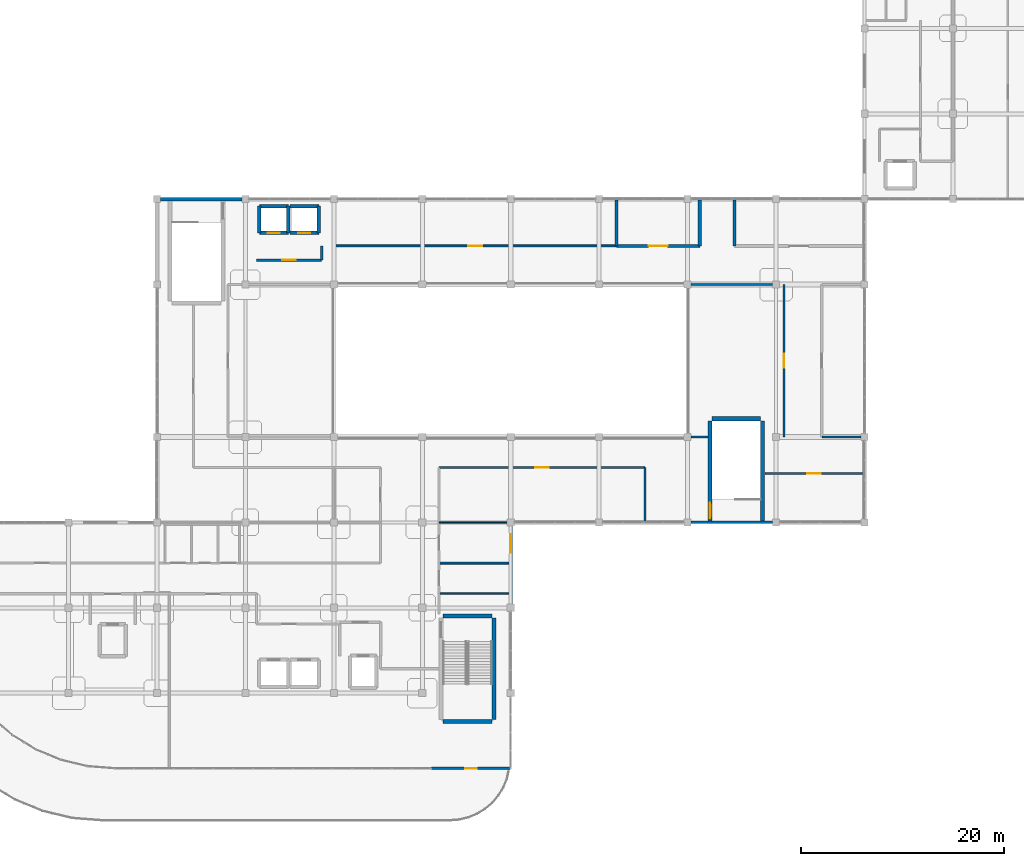
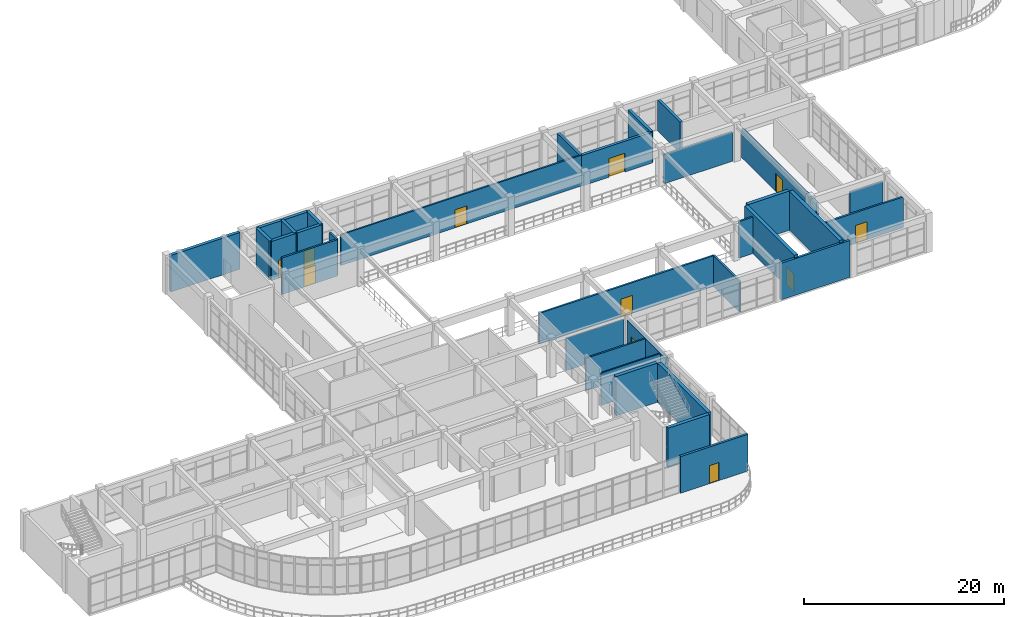
# One storey, part 56 of 64: 34 walls, 10 doors, 1 window, 11 openings.
"""IFC4 building model written with IfcOpenShell, lengths in metres."""

from ifc_helpers import new_model, si_unit, derived_unit, direction, frame, frame_2d, origin, place, context, subcontext, project, spatial, rectangle, extrude, material, layer, layer_set, type_object, element, fill, save


model = new_model("IFC4")

# Units and contexts
model_context = context("Model", 3, precision=1e-05, world=origin(), true_north=direction((0.0, 1.0)))
body_context = subcontext(model_context, "Body", "Model", "MODEL_VIEW")
ifc_project = project(units=[si_unit("LENGTHUNIT", "METRE"), si_unit("AREAUNIT", "SQUARE_METRE"), si_unit("VOLUMEUNIT", "CUBIC_METRE"), si_unit("PLANEANGLEUNIT", "RADIAN"), si_unit("MASSUNIT", "GRAM", prefix="KILO"), derived_unit("THERMALTRANSMITTANCEUNIT", [(si_unit("MASSUNIT", "GRAM", prefix="KILO"), 1), (si_unit("TIMEUNIT", "SECOND"), -3), (si_unit("THERMODYNAMICTEMPERATUREUNIT", "KELVIN"), -1)])], contexts=[model_context])

# Site, building, storey
site_placement = place(None, origin())
site = spatial("IfcSite", under=ifc_project, at=site_placement, CompositionType="ELEMENT")
building_placement = place(site_placement, origin())
building = spatial("IfcBuilding", under=site, at=building_placement, Name="Qinzheling Arcade Emporium", CompositionType="ELEMENT")
storey_placement = place(building_placement, frame((0.0, 0.0, 31.5)))
storey = spatial("IfcBuildingStorey", under=building, at=storey_placement, Name="L07", CompositionType="ELEMENT", Elevation=31.5)

# Wall
ifc_material_1 = material(Name="Double-stud acoustic gypsum board partition")
ifc_layer_1 = layer(ifc_material_1, 0.215087890625, Name="Double-stud acoustic gypsum board partition")
ifc_layer_set_1 = layer_set([ifc_layer_1], Name="Double-stud acoustic gypsum board partition")
wall_type_1 = type_object("IfcWallType", Name="Acoustic Corridor Partition Wall 215", PredefinedType="PARTITIONING", material=ifc_layer_set_1)
wall_1_placement = place(storey_placement, frame((51.0, 69.199951171875, 0.0), z_axis=(0.0, 0.0, 1.0), x_axis=(0.0, -1.0, 0.0)))
element("IfcWall", 1, at=wall_1_placement, inside=storey, type_object=wall_type_1, Name="Interior Wall WL-L07-INT-0889", PredefinedType="PARTITIONING", context=body_context, shape_type="SweptSolid", body=[
    extrude(rectangle(XDim=1.39990234375, YDim=0.215087890625, at=frame_2d((0.699951171875, 0.0))), origin(), (0.0, 0.0, 1.0), 4.4599609375),
])

# Wall, opening, door
wall_2_placement = place(storey_placement, frame((51.0, 67.800048828125, 0.0), z_axis=(0.0, 0.0, 1.0), x_axis=(-1.0, 0.0, 0.0)))
wall_2 = element("IfcWall", 2, at=wall_2_placement, inside=storey, type_object=wall_type_1, Name="Interior Wall WL-L07-INT-0890", PredefinedType="PARTITIONING", context=body_context, shape_type="SweptSolid", body=[
    extrude(rectangle(XDim=6.39990234375, YDim=0.215087890625, at=frame_2d((3.199951171875, 0.0))), origin(), (0.0, 0.0, 1.0), 4.4599609375),
])
opening_1_placement = place(wall_2_placement, frame((2.52490234375, 0.0, 0.0)))
opening_1 = element("IfcOpeningElement", 3, at=opening_1_placement, cuts=wall_2, Name="Opening FD05", PredefinedType="OPENING", context=body_context, shape_type="SweptSolid", body=[
    extrude(rectangle(XDim=1.35009765625, YDim=2.199951171875, at=frame_2d((0.675048828125, 1.10009765625))), frame((0.0, 0.11767578125, 0.0), z_axis=(0.0, -1.0, 0.0), x_axis=(1.0, 0.0, 0.0)), (0.0, 0.0, 1.0), 0.235107421875),
])
ifc_material_2 = material(Name="Class B fire-rated stainless-clad door")
door_type_1 = type_object("IfcDoorType", Name="Kitchen Fire-Rated Service Door 1350x2200", OperationType="NOTDEFINED", PredefinedType="DOOR", material=ifc_material_2)
door_1_placement = place(opening_1_placement, origin())
door_1 = element("IfcDoor", 4, at=door_1_placement, inside=storey, type_object=door_type_1, Name="FD05 Interior Door DR-L07-INT-0259", OperationType="SINGLE_SWING_RIGHT", OverallHeight=2.199951171875, OverallWidth=1.35009765625, PredefinedType="DOOR", context=body_context, shape_type="SweptSolid", body=[
    extrude(rectangle(XDim=1.35009765625, YDim=2.199951171875, at=frame_2d((0.675048828125, 1.10009765625))), frame((0.0, 0.02490234375, 0.0), z_axis=(0.0, -1.0, 0.0), x_axis=(1.0, 0.0, 0.0)), (0.0, 0.0, 1.0), 0.050048828125),
])
fill(opening_1, door_1)

wall_3_placement = place(storey_placement, frame((104.300048828125, 46.800048828125, 0.0), z_axis=(0.0, 0.0, 1.0), x_axis=(-1.0, 0.0, 0.0)))
wall_3 = element("IfcWall", 5, at=wall_3_placement, inside=storey, type_object=wall_type_1, Name="Interior Wall WL-L07-INT-0938", PredefinedType="PARTITIONING", context=body_context, shape_type="SweptSolid", body=[
    extrude(rectangle(XDim=9.705078125, YDim=0.215087890625, at=frame_2d((4.8525390625, 0.0))), origin(), (0.0, 0.0, 1.0), 3.760009765625),
])
opening_2_placement = place(wall_3_placement, frame((4.177001953125, 0.0, 0.0)))
opening_2 = element("IfcOpeningElement", 6, at=opening_2_placement, cuts=wall_3, Name="Opening FD05", PredefinedType="OPENING", context=body_context, shape_type="SweptSolid", body=[
    extrude(rectangle(XDim=1.35009765625, YDim=2.199951171875, at=frame_2d((0.675048828125, 1.10009765625))), frame((0.0, 0.11767578125, 0.0), z_axis=(0.0, -1.0, 0.0), x_axis=(1.0, 0.0, 0.0)), (0.0, 0.0, 1.0), 0.235107421875),
])
door_2_placement = place(opening_2_placement, origin())
door_2 = element("IfcDoor", 7, at=door_2_placement, inside=storey, type_object=door_type_1, Name="FD05 Interior Door DR-L07-INT-0272", OperationType="SINGLE_SWING_LEFT", OverallHeight=2.199951171875, OverallWidth=1.35009765625, PredefinedType="DOOR", context=body_context, shape_type="SweptSolid", body=[
    extrude(rectangle(XDim=1.35009765625, YDim=2.199951171875, at=frame_2d((0.675048828125, 1.10009765625))), frame((0.0, 0.02490234375, 0.0), z_axis=(0.0, -1.0, 0.0), x_axis=(1.0, 0.0, 0.0)), (0.0, 0.0, 1.0), 0.050048828125),
])
fill(opening_2, door_2)

# Wall
wall_4_placement = place(storey_placement, frame((82.800048828125, 42.10009765625, 0.0), z_axis=(0.0, 0.0, 1.0), x_axis=(0.0, 1.0, 0.0)))
element("IfcWall", 8, at=wall_4_placement, inside=storey, type_object=wall_type_1, Name="Interior Wall WL-L07-INT-0939", PredefinedType="PARTITIONING", context=body_context, shape_type="SweptSolid", body=[
    extrude(rectangle(XDim=5.2998046875, YDim=0.215087890625, at=frame_2d((2.64990234375, 0.0))), origin(), (0.0, 0.0, 1.0), 3.760009765625),
])

# Wall, opening, door
wall_5_placement = place(storey_placement, frame((82.800048828125, 47.39990234375, 0.0), z_axis=(0.0, 0.0, 1.0), x_axis=(-1.0, 0.0, 0.0)))
wall_5 = element("IfcWall", 9, at=wall_5_placement, inside=storey, type_object=wall_type_1, Name="Interior Wall WL-L07-INT-0940", PredefinedType="PARTITIONING", context=body_context, shape_type="SweptSolid", body=[
    extrude(rectangle(XDim=20.25, YDim=0.215087890625, at=frame_2d((10.125, 0.0))), origin(), (0.0, 0.0, 1.0), 3.760009765625),
])
opening_3_placement = place(wall_5_placement, frame((9.449951171875, 0.0, 0.0)))
opening_3 = element("IfcOpeningElement", 10, at=opening_3_placement, cuts=wall_5, Name="Opening FD05", PredefinedType="OPENING", context=body_context, shape_type="SweptSolid", body=[
    extrude(rectangle(XDim=1.35009765625, YDim=2.199951171875, at=frame_2d((0.675048828125, 1.10009765625))), frame((0.0, 0.11767578125, 0.0), z_axis=(0.0, -1.0, 0.0), x_axis=(1.0, 0.0, 0.0)), (0.0, 0.0, 1.0), 0.235107421875),
])
door_3_placement = place(opening_3_placement, origin())
door_3 = element("IfcDoor", 11, at=door_3_placement, inside=storey, type_object=door_type_1, Name="FD05 Interior Door DR-L07-INT-0273", OperationType="SINGLE_SWING_RIGHT", OverallHeight=2.199951171875, OverallWidth=1.35009765625, PredefinedType="DOOR", context=body_context, shape_type="SweptSolid", body=[
    extrude(rectangle(XDim=1.35009765625, YDim=2.199951171875, at=frame_2d((0.675048828125, 1.10009765625))), frame((0.0, 0.02490234375, 0.0), z_axis=(0.0, -1.0, 0.0), x_axis=(1.0, 0.0, 0.0)), (0.0, 0.0, 1.0), 0.050048828125),
])
fill(opening_3, door_3)

# Walls
wall_6_placement = place(storey_placement, frame((100.199951171875, 50.39990234375, 0.0), z_axis=(0.0, 0.0, 1.0), x_axis=(1.0, 0.0, 0.0)))
element("IfcWall", 12, at=wall_6_placement, inside=storey, type_object=wall_type_1, Name="Interior Wall WL-L07-INT-0951", PredefinedType="PARTITIONING", context=body_context, shape_type="SweptSolid", body=[
    extrude(rectangle(XDim=3.840087890625, YDim=0.215087890625, at=frame_2d((1.919921875, 0.0))), origin(), (0.0, 0.0, 1.0), 3.56005859375),
])
wall_7_placement = place(storey_placement, frame((87.360107421875, 50.39990234375, 0.0), z_axis=(0.0, 0.0, 1.0), x_axis=(1.0, 0.0, 0.0)))
element("IfcWall", 13, at=wall_7_placement, inside=storey, type_object=wall_type_1, Name="Interior Wall WL-L07-INT-0952", PredefinedType="PARTITIONING", context=body_context, shape_type="SweptSolid", body=[
    extrude(rectangle(XDim=1.635009765625, YDim=0.215087890625, at=frame_2d((0.8173828125, 0.0))), origin(), (0.0, 0.0, 1.0), 4.4599609375),
])

# Wall, opening, door
wall_8_placement = place(storey_placement, frame((96.5, 50.39990234375, 0.0), z_axis=(0.0, 0.0, 1.0), x_axis=(0.0, 1.0, 0.0)))
wall_8 = element("IfcWall", 14, at=wall_8_placement, inside=storey, type_object=wall_type_1, Name="Interior Wall WL-L07-INT-0953", PredefinedType="PARTITIONING", context=body_context, shape_type="SweptSolid", body=[
    extrude(rectangle(XDim=15.0, YDim=0.215087890625, at=frame_2d((7.5, 0.0))), origin(), (0.0, 0.0, 1.0), 3.56005859375),
])
opening_4_placement = place(wall_8_placement, frame((6.824951171875, 0.0, 0.0)))
opening_4 = element("IfcOpeningElement", 15, at=opening_4_placement, cuts=wall_8, Name="Opening FD05", PredefinedType="OPENING", context=body_context, shape_type="SweptSolid", body=[
    extrude(rectangle(XDim=1.35009765625, YDim=2.199951171875, at=frame_2d((0.675048828125, 1.10009765625))), frame((0.0, 0.11767578125, 0.0), z_axis=(0.0, -1.0, 0.0), x_axis=(1.0, 0.0, 0.0)), (0.0, 0.0, 1.0), 0.235107421875),
])
door_4_placement = place(opening_4_placement, origin())
door_4 = element("IfcDoor", 16, at=door_4_placement, inside=storey, type_object=door_type_1, Name="FD05 Interior Door DR-L07-INT-0279", OperationType="SINGLE_SWING_RIGHT", OverallHeight=2.199951171875, OverallWidth=1.35009765625, PredefinedType="DOOR", context=body_context, shape_type="SweptSolid", body=[
    extrude(rectangle(XDim=1.35009765625, YDim=2.199951171875, at=frame_2d((0.675048828125, 1.10009765625))), frame((0.0, 0.02490234375, 0.0), z_axis=(0.0, -1.0, 0.0), x_axis=(1.0, 0.0, 0.0)), (0.0, 0.0, 1.0), 0.050048828125),
])
fill(opening_4, door_4)

# Wall
wall_9_placement = place(storey_placement, frame((95.340087890625, 65.39990234375, 0.0), z_axis=(0.0, 0.0, 1.0), x_axis=(-1.0, 0.0, 0.0)))
element("IfcWall", 17, at=wall_9_placement, inside=storey, type_object=wall_type_1, Name="Interior Wall WL-L07-INT-0954", PredefinedType="PARTITIONING", context=body_context, shape_type="SweptSolid", body=[
    extrude(rectangle(XDim=7.97998046875, YDim=0.215087890625, at=frame_2d((3.989990234375, 0.0))), origin(), (0.0, 0.0, 1.0), 3.56005859375),
])

# Wall, opening, door
ifc_material_3 = material(Name="Insulated aluminium-clad spandrel wall", Category="aluminium")
ifc_layer_2 = layer(ifc_material_3, 0.260009765625, Name="Insulated aluminium-clad spandrel wall", Category="aluminium")
ifc_layer_set_2 = layer_set([ifc_layer_2], Name="Insulated aluminium-clad spandrel wall")
wall_type_2 = type_object("IfcWallType", Name="Arcade Clerestory Spandrel Wall 260", PredefinedType="STANDARD", material=ifc_layer_set_2)
wall_10_placement = place(storey_placement, frame((69.60009765625, 17.800048828125, 0.0), z_axis=(0.0, 0.0, 1.0), x_axis=(-1.0, 0.0, 0.0)))
wall_10 = element("IfcWall", 18, at=wall_10_placement, inside=storey, type_object=wall_type_2, Name="Exterior Wall WL-L07-EW-0329", PredefinedType="STANDARD", context=body_context, shape_type="SweptSolid", body=[
    extrude(rectangle(XDim=7.798095703125, YDim=0.260009765625, at=frame_2d((3.89892578125, 0.0))), origin(), (0.0, 0.0, 1.0), 4.489990234375),
])
opening_5_placement = place(wall_10_placement, frame((3.34912109375, 0.0, 0.0)))
opening_5 = element("IfcOpeningElement", 19, at=opening_5_placement, cuts=wall_10, Name="Opening TD04", PredefinedType="OPENING", context=body_context, shape_type="SweptSolid", body=[
    extrude(rectangle(XDim=1.10009765625, YDim=2.199951171875, at=frame_2d((0.550048828125, 1.10009765625))), frame((0.0, 0.14013671875, 0.0), z_axis=(0.0, -1.0, 0.0), x_axis=(1.0, 0.0, 0.0)), (0.0, 0.0, 1.0), 0.280029296875),
])
ifc_material_4 = material(Name="Thermally broken aluminium and double glass", Category="aluminium")
door_type_2 = type_object("IfcDoorType", Name="Buying Office Terrace Single Door 1100x2200", OperationType="NOTDEFINED", PredefinedType="DOOR", material=ifc_material_4)
door_5_placement = place(opening_5_placement, origin())
door_5 = element("IfcDoor", 20, at=door_5_placement, inside=storey, type_object=door_type_2, Name="TD04 Exterior Door DR-L07-EXT-041", OperationType="SINGLE_SWING_RIGHT", OverallHeight=2.199951171875, OverallWidth=1.10009765625, PredefinedType="DOOR", context=body_context, shape_type="SweptSolid", body=[
    extrude(rectangle(XDim=1.10009765625, YDim=2.199951171875, at=frame_2d((0.550048828125, 1.10009765625))), frame((0.0, 0.02490234375, 0.0), z_axis=(0.0, -1.0, 0.0), x_axis=(1.0, 0.0, 0.0)), (0.0, 0.0, 1.0), 0.050048828125),
])
fill(opening_5, door_5)

# Walls
wall_11_placement = place(storey_placement, frame((95.347900390625, 42.0, 0.0), z_axis=(0.0, 0.0, 1.0), x_axis=(-1.0, 0.0, 0.0)))
element("IfcWall", 21, at=wall_11_placement, inside=storey, type_object=wall_type_2, Name="Exterior Wall WL-L07-EW-0337", PredefinedType="STANDARD", context=body_context, shape_type="SweptSolid", body=[
    extrude(rectangle(XDim=7.995849609375, YDim=0.260009765625, at=frame_2d((3.998046875, 0.0))), origin(), (0.0, 0.0, 1.0), 4.489990234375),
])
ifc_material_5 = material(Name="Lightweight atelier partition")
ifc_layer_3 = layer(ifc_material_5, 0.14990234375, Name="Lightweight atelier partition")
ifc_layer_set_3 = layer_set([ifc_layer_3], Name="Lightweight atelier partition")
wall_type_3 = type_object("IfcWallType", Name="Atelier Partition Wall 150", PredefinedType="PARTITIONING", material=ifc_layer_set_3)
wall_12_placement = place(storey_placement, frame((62.550048828125, 35.0, 0.0), z_axis=(0.0, 0.0, 1.0), x_axis=(1.0, 0.0, 0.0)))
element("IfcWall", 22, at=wall_12_placement, inside=storey, type_object=wall_type_3, Name="Interior Wall WL-L07-INT-0962", PredefinedType="PARTITIONING", context=body_context, shape_type="SweptSolid", body=[
    extrude(rectangle(XDim=6.875, YDim=0.14990234375, at=frame_2d((3.4375, 0.0))), origin(), (0.0, 0.0, 1.0), 3.9599609375),
])

# Wall, opening, window
ifc_material_6 = material(Name="Celadon glazed terracotta insulated spandrel", Category="masonry")
ifc_layer_4 = layer(ifc_material_6, 0.340087890625, Name="Celadon glazed terracotta insulated spandrel", Category="masonry")
ifc_layer_set_4 = layer_set([ifc_layer_4], Name="Celadon glazed terracotta insulated spandrel")
wall_type_4 = type_object("IfcWallType", Name="Celadon Spandrel Infill Wall 340", PredefinedType="STANDARD", material=ifc_layer_set_4)
wall_13_placement = place(storey_placement, frame((69.60009765625, 41.64794921875, 0.0), z_axis=(0.0, 0.0, 1.0), x_axis=(0.0, -1.0, 0.0)))
wall_13 = element("IfcWall", 23, at=wall_13_placement, inside=storey, type_object=wall_type_4, Name="Exterior Wall WL-L07-EW-0338", PredefinedType="STANDARD", context=body_context, shape_type="SweptSolid", body=[
    extrude(rectangle(XDim=7.696044921875, YDim=0.340087890625, at=frame_2d((3.84814453125, 0.0))), origin(), (0.0, 0.0, 1.0), 3.955078125),
])
opening_6_placement = place(wall_13_placement, frame((0.81005859375, 0.0, 0.85009765625)))
opening_6 = element("IfcOpeningElement", 24, at=opening_6_placement, cuts=wall_13, Name="Opening WN62", PredefinedType="OPENING", context=body_context, shape_type="SweptSolid", body=[
    extrude(rectangle(XDim=1.800048828125, YDim=1.60009765625, at=frame_2d((0.89990234375, 0.800048828125))), frame((0.0, 0.18017578125, 0.0), z_axis=(0.0, -1.0, 0.0), x_axis=(1.0, 0.0, 0.0)), (0.0, 0.0, 1.0), 0.360107421875),
])
ifc_material_7 = material(Name="Thermally broken aluminium frame with solar-control double glazing", Category="aluminium")
window_type = type_object("IfcWindowType", Name="Chicago Tripartite Window 1800x1600", PartitioningType="TRIPLE_PANEL_VERTICAL", PredefinedType="WINDOW", material=ifc_material_7)
window_placement = place(opening_6_placement, origin())
window = element("IfcWindow", 25, at=window_placement, inside=storey, type_object=window_type, Name="WN62 Window WN-L07-0083", OverallHeight=1.60009765625, OverallWidth=1.800048828125, PartitioningType="TRIPLE_PANEL_VERTICAL", PredefinedType="WINDOW", context=body_context, shape_type="SweptSolid", body=[
    extrude(rectangle(XDim=1.800048828125, YDim=1.60009765625, at=frame_2d((0.89990234375, 0.800048828125))), frame((0.0, 0.030029296875, 0.0), z_axis=(0.0, -1.0, 0.0), x_axis=(1.0, 0.0, 0.0)), (0.0, 0.0, 1.0), 0.06005859375),
])
fill(opening_6, window)

# Wall
ifc_material_8 = material(Name="Fluted granite ashlar on Concrete C40", Category="masonry")
ifc_layer_5 = layer(ifc_material_8, 0.35009765625, Name="Fluted granite ashlar on Concrete C40", Category="masonry")
ifc_layer_set_5 = layer_set([ifc_layer_5], Name="Fluted granite ashlar on Concrete C40")
wall_type_5 = type_object("IfcWallType", Name="Fluted Granite Logistics Wall 350", PredefinedType="STANDARD", material=ifc_layer_set_5)
wall_14_placement = place(storey_placement, frame((35.152099609375, 73.800048828125, 0.0), z_axis=(0.0, 0.0, 1.0), x_axis=(1.0, 0.0, 0.0)))
element("IfcWall", 26, at=wall_14_placement, inside=storey, type_object=wall_type_5, Name="Exterior Wall WL-L07-EW-0336", PredefinedType="STANDARD", context=body_context, shape_type="SweptSolid", body=[
    extrude(rectangle(XDim=7.995849609375, YDim=0.35009765625, at=frame_2d((3.998046875, 0.0))), origin(), (0.0, 0.0, 1.0), 4.489990234375),
])

# Wall, opening, door
ifc_material_9 = material(Name="Ceramic-tiled cement-board partition")
ifc_layer_6 = layer(ifc_material_9, 0.18505859375, Name="Ceramic-tiled cement-board partition")
ifc_layer_set_6 = layer_set([ifc_layer_6], Name="Ceramic-tiled cement-board partition")
wall_type_6 = type_object("IfcWallType", Name="Food Hall Kitchen Partition Wall 185", PredefinedType="PARTITIONING", material=ifc_layer_set_6)
wall_15_placement = place(storey_placement, frame((52.199951171875, 69.199951171875, 0.0), z_axis=(0.0, 0.0, 1.0), x_axis=(1.0, 0.0, 0.0)))
wall_15 = element("IfcWall", 27, at=wall_15_placement, inside=storey, type_object=wall_type_6, Name="Interior Wall WL-L07-INT-0944", PredefinedType="PARTITIONING", context=body_context, shape_type="SweptSolid", body=[
    extrude(rectangle(XDim=27.800048828125, YDim=0.18505859375, at=frame_2d((13.89990234375, 0.0))), origin(), (0.0, 0.0, 1.0), 3.760009765625),
])
opening_7_placement = place(wall_15_placement, frame((13.22509765625, 0.0, 0.0)))
opening_7 = element("IfcOpeningElement", 28, at=opening_7_placement, cuts=wall_15, Name="Opening FD05", PredefinedType="OPENING", context=body_context, shape_type="SweptSolid", body=[
    extrude(rectangle(XDim=1.35009765625, YDim=2.199951171875, at=frame_2d((0.675048828125, 1.10009765625))), frame((0.0, 0.1025390625, 0.0), z_axis=(0.0, -1.0, 0.0), x_axis=(1.0, 0.0, 0.0)), (0.0, 0.0, 1.0), 0.205078125),
])
door_6_placement = place(opening_7_placement, origin())
door_6 = element("IfcDoor", 29, at=door_6_placement, inside=storey, type_object=door_type_1, Name="FD05 Interior Door DR-L07-INT-0275", OperationType="SINGLE_SWING_RIGHT", OverallHeight=2.199951171875, OverallWidth=1.35009765625, PredefinedType="DOOR", context=body_context, shape_type="SweptSolid", body=[
    extrude(rectangle(XDim=1.35009765625, YDim=2.199951171875, at=frame_2d((0.675048828125, 1.10009765625))), frame((0.0, 0.02490234375, 0.0), z_axis=(0.0, -1.0, 0.0), x_axis=(1.0, 0.0, 0.0)), (0.0, 0.0, 1.0), 0.050048828125),
])
fill(opening_7, door_6)

# Walls
wall_16_placement = place(storey_placement, frame((69.425048828125, 38.0, 0.0), z_axis=(0.0, 0.0, 1.0), x_axis=(-1.0, 0.0, 0.0)))
element("IfcWall", 30, at=wall_16_placement, inside=storey, type_object=wall_type_6, Name="Interior Wall WL-L07-INT-0957", PredefinedType="PARTITIONING", context=body_context, shape_type="SweptSolid", body=[
    extrude(rectangle(XDim=6.875, YDim=0.18505859375, at=frame_2d((3.4375, 0.0))), origin(), (0.0, 0.0, 1.0), 3.9599609375),
])
ifc_material_10 = material(Name="Lightweight gypsum studio partition")
ifc_layer_7 = layer(ifc_material_10, 0.125, Name="Lightweight gypsum studio partition")
ifc_layer_set_7 = layer_set([ifc_layer_7], Name="Lightweight gypsum studio partition")
wall_type_7 = type_object("IfcWallType", Name="Merchandising Studio Partition Wall 125", PredefinedType="PARTITIONING", material=ifc_layer_set_7)
wall_17_placement = place(storey_placement, frame((62.550048828125, 42.0, 0.0), z_axis=(0.0, 0.0, 1.0), x_axis=(1.0, 0.0, 0.0)))
element("IfcWall", 31, at=wall_17_placement, inside=storey, type_object=wall_type_7, Name="Interior Wall WL-L07-INT-0956", PredefinedType="PARTITIONING", context=body_context, shape_type="SweptSolid", body=[
    extrude(rectangle(XDim=6.68994140625, YDim=0.125, at=frame_2d((3.344970703125, 0.0))), origin(), (0.0, 0.0, 1.0), 3.9599609375),
])
ifc_material_11 = material(Name="Concrete C40", Category="concrete")
ifc_layer_8 = layer(ifc_material_11, 0.35009765625, Name="Concrete C40", Category="concrete")
ifc_layer_set_8 = layer_set([ifc_layer_8], Name="Concrete C40")
wall_type_8 = type_object("IfcWallType", Name="RC Lift Shaft Shear Wall 350 C40", PredefinedType="SHEAR", material=ifc_layer_set_8)
wall_18_placement = place(storey_placement, frame((44.875, 73.125, 0.0), z_axis=(0.0, 0.0, 1.0), x_axis=(1.0, 0.0, 0.0)))
element("IfcWall", 32, at=wall_18_placement, inside=storey, type_object=wall_type_8, Name="Lift Shaft Wall WL-L07-LFT-LP03-N", PredefinedType="SHEAR", context=body_context, shape_type="SweptSolid", body=[
    extrude(rectangle(XDim=2.85009765625, YDim=0.35009765625, at=frame_2d((1.425048828125, 0.0))), origin(), (0.0, 0.0, 1.0), 4.800048828125),
])

# Wall, opening, door
wall_19_placement = place(storey_placement, frame((47.72509765625, 70.47509765625, 0.0), z_axis=(0.0, 0.0, 1.0), x_axis=(-1.0, 0.0, 0.0)))
wall_19 = element("IfcWall", 33, at=wall_19_placement, inside=storey, type_object=wall_type_8, Name="Lift Shaft Wall WL-L07-LFT-LP03-S", PredefinedType="SHEAR", context=body_context, shape_type="SweptSolid", body=[
    extrude(rectangle(XDim=2.85009765625, YDim=0.35009765625, at=frame_2d((1.425048828125, 0.0))), origin(), (0.0, 0.0, 1.0), 4.800048828125),
])
opening_8_placement = place(wall_19_placement, frame((0.824951171875, 0.0, 0.0)))
opening_8 = element("IfcOpeningElement", 34, at=opening_8_placement, cuts=wall_19, Name="Opening LD02", PredefinedType="OPENING", context=body_context, shape_type="SweptSolid", body=[
    extrude(rectangle(XDim=1.199951171875, YDim=2.199951171875, at=frame_2d((0.60009765625, 1.10009765625))), frame((0.0, 0.18505859375, 0.0), z_axis=(0.0, -1.0, 0.0), x_axis=(1.0, 0.0, 0.0)), (0.0, 0.0, 1.0), 0.3701171875),
])
ifc_material_12 = material(Name="Brushed bronze stainless sliding lift door")
door_type_3 = type_object("IfcDoorType", Name="Passenger Lift Sliding Landing Door 1200x2200", OperationType="DOUBLE_DOOR_SLIDING", PredefinedType="DOOR", material=ifc_material_12)
door_7_placement = place(opening_8_placement, origin())
door_7 = element("IfcDoor", 35, at=door_7_placement, inside=storey, type_object=door_type_3, Name="LD02 Lift Landing Door LP03 L07", OperationType="DOUBLE_DOOR_SLIDING", OverallHeight=2.199951171875, OverallWidth=1.199951171875, PredefinedType="DOOR", context=body_context, shape_type="SweptSolid", body=[
    extrude(rectangle(XDim=1.199951171875, YDim=2.199951171875, at=frame_2d((0.60009765625, 1.10009765625))), frame((0.0, 0.02490234375, 0.0), z_axis=(0.0, -1.0, 0.0), x_axis=(1.0, 0.0, 0.0)), (0.0, 0.0, 1.0), 0.050048828125),
])
fill(opening_8, door_7)

# Walls
for number, where, z_axis, x_axis, name in (
    (36, (44.875, 70.47509765625, 0.0), (0.0, 0.0, 1.0), (0.0, 1.0, 0.0), "Lift Shaft Wall WL-L07-LFT-LP03-W"),
    (37, (47.72509765625, 73.125, 0.0), (0.0, 0.0, 1.0), (0.0, -1.0, 0.0), "Lift Shaft Wall WL-L07-LFT-LP03-E"),
):
    element("IfcWall", number, at=place(storey_placement, frame(where, z_axis=z_axis, x_axis=x_axis)), inside=storey, type_object=wall_type_8, Name=name, PredefinedType="SHEAR", context=body_context, shape_type="SweptSolid", body=[
        extrude(rectangle(XDim=2.64990234375, YDim=0.35009765625, at=frame_2d((1.324951171875, 0.0))), origin(), (0.0, 0.0, 1.0), 4.800048828125),
    ])
wall_20_placement = place(storey_placement, frame((47.875, 73.125, 0.0), z_axis=(0.0, 0.0, 1.0), x_axis=(1.0, 0.0, 0.0)))
element("IfcWall", 38, at=wall_20_placement, inside=storey, type_object=wall_type_8, Name="Lift Shaft Wall WL-L07-LFT-LP04-N", PredefinedType="SHEAR", context=body_context, shape_type="SweptSolid", body=[
    extrude(rectangle(XDim=2.85009765625, YDim=0.35009765625, at=frame_2d((1.425048828125, 0.0))), origin(), (0.0, 0.0, 1.0), 4.800048828125),
])

# Wall, opening, door
wall_21_placement = place(storey_placement, frame((50.72509765625, 70.47509765625, 0.0), z_axis=(0.0, 0.0, 1.0), x_axis=(-1.0, 0.0, 0.0)))
wall_21 = element("IfcWall", 39, at=wall_21_placement, inside=storey, type_object=wall_type_8, Name="Lift Shaft Wall WL-L07-LFT-LP04-S", PredefinedType="SHEAR", context=body_context, shape_type="SweptSolid", body=[
    extrude(rectangle(XDim=2.85009765625, YDim=0.35009765625, at=frame_2d((1.425048828125, 0.0))), origin(), (0.0, 0.0, 1.0), 4.800048828125),
])
opening_9_placement = place(wall_21_placement, frame((0.824951171875, 0.0, 0.0)))
opening_9 = element("IfcOpeningElement", 40, at=opening_9_placement, cuts=wall_21, Name="Opening LD02", PredefinedType="OPENING", context=body_context, shape_type="SweptSolid", body=[
    extrude(rectangle(XDim=1.199951171875, YDim=2.199951171875, at=frame_2d((0.60009765625, 1.10009765625))), frame((0.0, 0.18505859375, 0.0), z_axis=(0.0, -1.0, 0.0), x_axis=(1.0, 0.0, 0.0)), (0.0, 0.0, 1.0), 0.3701171875),
])
door_8_placement = place(opening_9_placement, origin())
door_8 = element("IfcDoor", 41, at=door_8_placement, inside=storey, type_object=door_type_3, Name="LD02 Lift Landing Door LP04 L07", OperationType="DOUBLE_DOOR_SLIDING", OverallHeight=2.199951171875, OverallWidth=1.199951171875, PredefinedType="DOOR", context=body_context, shape_type="SweptSolid", body=[
    extrude(rectangle(XDim=1.199951171875, YDim=2.199951171875, at=frame_2d((0.60009765625, 1.10009765625))), frame((0.0, 0.02490234375, 0.0), z_axis=(0.0, -1.0, 0.0), x_axis=(1.0, 0.0, 0.0)), (0.0, 0.0, 1.0), 0.050048828125),
])
fill(opening_9, door_8)

# Walls
wall_22_placement = place(storey_placement, frame((50.72509765625, 73.125, 0.0), z_axis=(0.0, 0.0, 1.0), x_axis=(0.0, -1.0, 0.0)))
element("IfcWall", 42, at=wall_22_placement, inside=storey, type_object=wall_type_8, Name="Lift Shaft Wall WL-L07-LFT-LP04-E", PredefinedType="SHEAR", context=body_context, shape_type="SweptSolid", body=[
    extrude(rectangle(XDim=2.64990234375, YDim=0.35009765625, at=frame_2d((1.324951171875, 0.0))), origin(), (0.0, 0.0, 1.0), 4.800048828125),
])
ifc_material_13 = material(Name="Concrete C50", Category="concrete")
ifc_layer_9 = layer(ifc_material_13, 0.39990234375, Name="Concrete C50", Category="concrete")
ifc_layer_set_9 = layer_set([ifc_layer_9], Name="Concrete C50")
wall_type_9 = type_object("IfcWallType", Name="RC Stair Core Shear Wall 400 C50", PredefinedType="SHEAR", material=ifc_layer_set_9)
wall_23_placement = place(storey_placement, frame((67.93994140625, 32.60009765625, 0.0), z_axis=(0.0, 0.0, 1.0), x_axis=(0.0, -1.0, 0.0)))
element("IfcWall", 43, at=wall_23_placement, inside=storey, type_object=wall_type_9, Name="Stair Core Wall WL-L07-ST01-EAST", PredefinedType="SHEAR", context=body_context, shape_type="SweptSolid", body=[
    extrude(rectangle(XDim=10.0, YDim=0.39990234375, at=frame_2d((5.0, 0.0))), origin(), (0.0, 0.0, 1.0), 4.800048828125),
])
for number, where, z_axis, x_axis, name in (
    (44, (67.739990234375, 22.39990234375, 0.0), (0.0, 0.0, 1.0), (-1.0, 0.0, 0.0), "Stair Core Wall WL-L07-ST01-SOUTH"),
    (45, (62.949951171875, 32.800048828125, 0.0), (0.0, 0.0, 1.0), (1.0, 0.0, 0.0), "Stair Core Wall WL-L07-ST01-NORTH"),
):
    element("IfcWall", number, at=place(storey_placement, frame(where, z_axis=z_axis, x_axis=x_axis)), inside=storey, type_object=wall_type_9, Name=name, PredefinedType="SHEAR", context=body_context, shape_type="SweptSolid", body=[
        extrude(rectangle(XDim=4.7900390625, YDim=0.39990234375, at=frame_2d((2.39501953125, 0.0))), origin(), (0.0, 0.0, 1.0), 4.800048828125),
    ])

# Wall, opening, door
wall_24_placement = place(storey_placement, frame((89.199951171875, 42.0, 0.0), z_axis=(0.0, 0.0, 1.0), x_axis=(0.0, 1.0, 0.0)))
wall_24 = element("IfcWall", 46, at=wall_24_placement, inside=storey, type_object=wall_type_9, Name="Stair Core Wall WL-L07-ST04-WEST", PredefinedType="SHEAR", context=body_context, shape_type="SweptSolid", body=[
    extrude(rectangle(XDim=10.0, YDim=0.39990234375, at=frame_2d((5.0, 0.0))), origin(), (0.0, 0.0, 1.0), 4.800048828125),
])
opening_10_placement = place(wall_24_placement, frame((0.409912109375, 0.0, 0.0)))
opening_10 = element("IfcOpeningElement", 47, at=opening_10_placement, cuts=wall_24, Name="Opening FD01", PredefinedType="OPENING", context=body_context, shape_type="SweptSolid", body=[
    extrude(rectangle(XDim=1.5, YDim=2.199951171875, at=frame_2d((0.75, 1.10009765625))), frame((0.0, 0.2099609375, 0.0), z_axis=(0.0, -1.0, 0.0), x_axis=(1.0, 0.0, 0.0)), (0.0, 0.0, 1.0), 0.419921875),
])
ifc_material_14 = material(Name="Class A fire-rated steel double door", Category="steel")
door_type_4 = type_object("IfcDoorType", Name="Stairwell Smoke-Proof Fire Door 1500x2200", OperationType="DOUBLE_DOOR_SINGLE_SWING", PredefinedType="DOOR", material=ifc_material_14)
door_9_placement = place(opening_10_placement, origin())
door_9 = element("IfcDoor", 48, at=door_9_placement, inside=storey, type_object=door_type_4, Name="FD01 Stairwell Fire Door DR-L07-ST04-FD", OperationType="DOUBLE_DOOR_SINGLE_SWING", OverallHeight=2.199951171875, OverallWidth=1.5, PredefinedType="DOOR", context=body_context, shape_type="SweptSolid", body=[
    extrude(rectangle(XDim=1.5, YDim=2.199951171875, at=frame_2d((0.75, 1.10009765625))), frame((0.0, 0.02490234375, 0.0), z_axis=(0.0, -1.0, 0.0), x_axis=(1.0, 0.0, 0.0)), (0.0, 0.0, 1.0), 0.050048828125),
])
fill(opening_10, door_9)

# Walls
wall_25_placement = place(storey_placement, frame((94.389892578125, 52.0, 0.0), z_axis=(0.0, 0.0, 1.0), x_axis=(0.0, -1.0, 0.0)))
element("IfcWall", 49, at=wall_25_placement, inside=storey, type_object=wall_type_9, Name="Stair Core Wall WL-L07-ST04-EAST", PredefinedType="SHEAR", context=body_context, shape_type="SweptSolid", body=[
    extrude(rectangle(XDim=10.0, YDim=0.39990234375, at=frame_2d((5.0, 0.0))), origin(), (0.0, 0.0, 1.0), 4.800048828125),
])
wall_26_placement = place(storey_placement, frame((89.39990234375, 52.199951171875, 0.0), z_axis=(0.0, 0.0, 1.0), x_axis=(1.0, 0.0, 0.0)))
element("IfcWall", 50, at=wall_26_placement, inside=storey, type_object=wall_type_9, Name="Stair Core Wall WL-L07-ST04-NORTH", PredefinedType="SHEAR", context=body_context, shape_type="SweptSolid", body=[
    extrude(rectangle(XDim=4.7900390625, YDim=0.39990234375, at=frame_2d((2.39501953125, 0.0))), origin(), (0.0, 0.0, 1.0), 4.800048828125),
])
ifc_material_15 = material(Name="Autoclaved aerated concrete masonry with fire plaster", Category="masonry")
ifc_layer_10 = layer(ifc_material_15, 0.31005859375, Name="Autoclaved aerated concrete masonry with fire plaster", Category="masonry")
ifc_layer_set_10 = layer_set([ifc_layer_10], Name="Autoclaved aerated concrete masonry with fire plaster")
wall_type_10 = type_object("IfcWallType", Name="Retail Compartment Fire Wall 310 C40", PredefinedType="STANDARD", material=ifc_layer_set_10)
wall_27_placement = place(storey_placement, frame((91.60009765625, 73.699951171875, 0.0), z_axis=(0.0, 0.0, 1.0), x_axis=(0.0, -1.0, 0.0)))
element("IfcWall", 51, at=wall_27_placement, inside=storey, type_object=wall_type_10, Name="Interior Wall WL-L07-INT-0945", PredefinedType="STANDARD", context=body_context, shape_type="SweptSolid", body=[
    extrude(rectangle(XDim=4.5, YDim=0.31005859375, at=frame_2d((2.25, 0.0))), origin(), (0.0, 0.0, 1.0), 3.760009765625),
])

# Wall, opening, door
wall_28_placement = place(storey_placement, frame((80.0, 69.199951171875, 0.0), z_axis=(0.0, 0.0, 1.0), x_axis=(1.0, 0.0, 0.0)))
wall_28 = element("IfcWall", 52, at=wall_28_placement, inside=storey, type_object=wall_type_10, Name="Interior Wall WL-L07-INT-0947", PredefinedType="STANDARD", context=body_context, shape_type="SweptSolid", body=[
    extrude(rectangle(XDim=8.199951171875, YDim=0.31005859375, at=frame_2d((4.10009765625, 0.0))), origin(), (0.0, 0.0, 1.0), 3.760009765625),
])
opening_11_placement = place(wall_28_placement, frame((3.175048828125, 0.0, 0.0)))
opening_11 = element("IfcOpeningElement", 53, at=opening_11_placement, cuts=wall_28, Name="Opening FD03", PredefinedType="OPENING", context=body_context, shape_type="SweptSolid", body=[
    extrude(rectangle(XDim=1.85009765625, YDim=2.300048828125, at=frame_2d((0.925048828125, 1.14990234375))), frame((0.0, 0.1650390625, 0.0), z_axis=(0.0, -1.0, 0.0), x_axis=(1.0, 0.0, 0.0)), (0.0, 0.0, 1.0), 0.330078125),
])
door_type_5 = type_object("IfcDoorType", Name="Stockroom Double Fire Door 1850x2300", OperationType="DOUBLE_DOOR_SINGLE_SWING", PredefinedType="DOOR", material=ifc_material_14)
door_10_placement = place(opening_11_placement, origin())
door_10 = element("IfcDoor", 54, at=door_10_placement, inside=storey, type_object=door_type_5, Name="FD03 Interior Door DR-L07-INT-0277", OperationType="DOUBLE_DOOR_SINGLE_SWING", OverallHeight=2.300048828125, OverallWidth=1.85009765625, PredefinedType="DOOR", context=body_context, shape_type="SweptSolid", body=[
    extrude(rectangle(XDim=1.85009765625, YDim=2.300048828125, at=frame_2d((0.925048828125, 1.14990234375))), frame((0.0, 0.02490234375, 0.0), z_axis=(0.0, -1.0, 0.0), x_axis=(1.0, 0.0, 0.0)), (0.0, 0.0, 1.0), 0.050048828125),
])
fill(opening_11, door_10)

# Walls
for number, where, z_axis, x_axis, name in (
    (55, (88.199951171875, 69.199951171875, 0.0), (0.0, 0.0, 1.0), (0.0, 1.0, 0.0), "Interior Wall WL-L07-INT-0948"),
    (56, (80.0, 73.699951171875, 0.0), (0.0, 0.0, 1.0), (0.0, -1.0, 0.0), "Interior Wall WL-L07-INT-0964"),
):
    element("IfcWall", number, at=place(storey_placement, frame(where, z_axis=z_axis, x_axis=x_axis)), inside=storey, type_object=wall_type_10, Name=name, PredefinedType="STANDARD", context=body_context, shape_type="SweptSolid", body=[
        extrude(rectangle(XDim=4.5, YDim=0.31005859375, at=frame_2d((2.25, 0.0))), origin(), (0.0, 0.0, 1.0), 3.760009765625),
    ])

save(model, "model.ifc")
